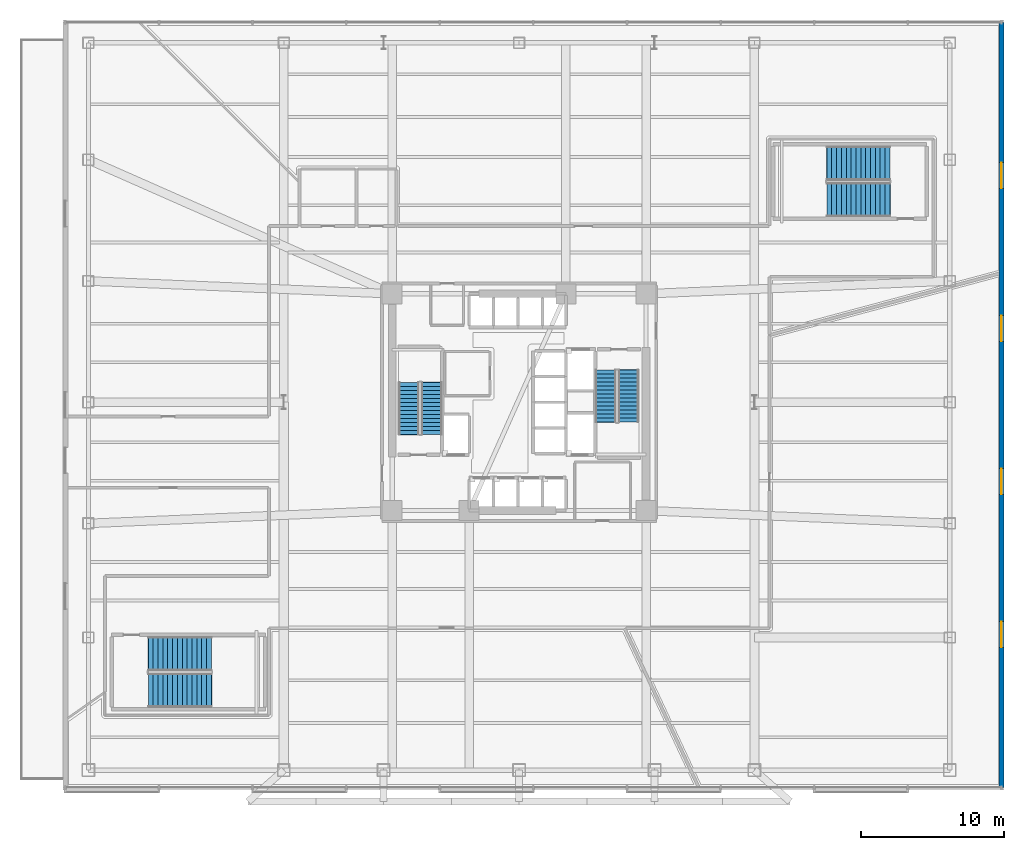
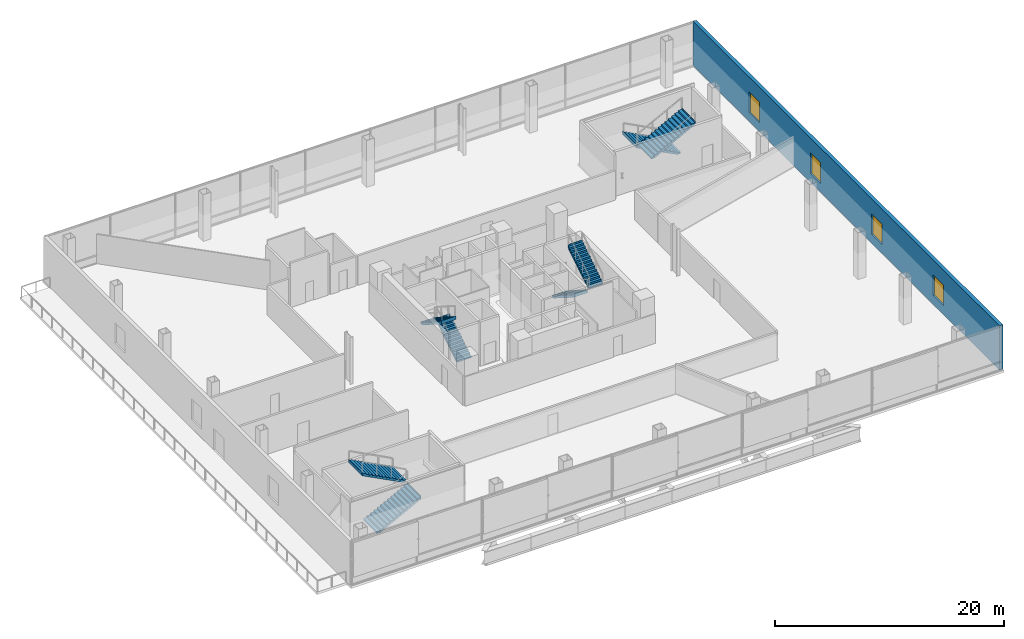
# One storey, part 13 of 20: 8 stair flights, 4 windows, 1 wall, 4 openings, 4 elements without a shape of their own.
"""IFC4 building model written with IfcOpenShell, lengths in metres."""

from ifc_helpers import new_model, si_unit, direction, frame, frame_2d, origin, place, context, subcontext, project, spatial, polyline, rectangle, outline, extrude, material, layer, layer_set, type_object, element, fill, aggregate, save


model = new_model("IFC4")

# Units and contexts
model_context = context("Model", 3, precision=1e-05, world=origin(), true_north=direction((0.0, 1.0)))
body_context = subcontext(model_context, "Body", "Model", "MODEL_VIEW")
ifc_project = project(units=[si_unit("LENGTHUNIT", "METRE"), si_unit("AREAUNIT", "SQUARE_METRE"), si_unit("VOLUMEUNIT", "CUBIC_METRE"), si_unit("PLANEANGLEUNIT", "RADIAN"), si_unit("MASSUNIT", "GRAM", prefix="KILO")], contexts=[model_context])

# Site, building, storey
site_placement = place(None, origin())
site = spatial("IfcSite", under=ifc_project, at=site_placement, CompositionType="ELEMENT")
building_placement = place(site_placement, origin())
building = spatial("IfcBuilding", under=site, at=building_placement, Name="Tharavind Bronze Gate", CompositionType="ELEMENT")
storey_placement = place(building_placement, frame((0.0, 0.0, 16.5)))
storey = spatial("IfcBuildingStorey", under=building, at=storey_placement, Name="L03", CompositionType="ELEMENT", Elevation=16.5)

# Wall, openings, windows
ifc_material_1 = material(Name="Concrete C40/50", Category="concrete")
ifc_layer = layer(ifc_material_1, 0.35009765625)
ifc_layer_set = layer_set([ifc_layer], Name="Concrete C40/50")
wall_type = type_object("IfcWallType", Name="EXTERIOR SPANDREL WALL 350", PredefinedType="STANDARD", material=ifc_layer_set)
wall_placement = place(storey_placement, frame((33.820068359375, -27.02001953125, 0.0), z_axis=(0.0, 0.0, 1.0), x_axis=(0.0, 1.0, 0.0)))
wall = element("IfcWall", 1, at=wall_placement, inside=storey, type_object=wall_type, Name="L03 upper podium east wall", PredefinedType="STANDARD", context=body_context, shape_type="SweptSolid", body=[
    extrude(rectangle(XDim=53.64013671875, YDim=0.35009765625, at=frame_2d((26.820068359375, 0.0))), origin(), (0.0, 0.0, 1.0), 4.739990234375),
])
opening_1_placement = place(wall_placement, frame((9.827880859375, 0.0, 0.949951171875)))
opening_1 = element("IfcOpeningElement", 2, at=opening_1_placement, cuts=wall, Name="Opening W02", PredefinedType="OPENING", context=body_context, shape_type="SweptSolid", body=[
    extrude(rectangle(XDim=1.800048828125, YDim=2.199951171875, at=frame_2d((0.89990234375, 1.10009765625))), frame((0.0, 0.185048828125, 0.0), z_axis=(0.0, -1.0, 0.0), x_axis=(1.0, 0.0, 0.0)), (0.0, 0.0, 1.0), 0.37009765625),
])
opening_2_placement = place(wall_placement, frame((20.555908203125, 0.0, 0.949951171875)))
opening_2 = element("IfcOpeningElement", 3, at=opening_2_placement, cuts=wall, Name="Opening W02", PredefinedType="OPENING", context=body_context, shape_type="SweptSolid", body=[
    extrude(rectangle(XDim=1.800048828125, YDim=2.199951171875, at=frame_2d((0.89990234375, 1.10009765625))), frame((0.0, 0.185048828125, 0.0), z_axis=(0.0, -1.0, 0.0), x_axis=(1.0, 0.0, 0.0)), (0.0, 0.0, 1.0), 0.37009765625),
])
opening_3_placement = place(wall_placement, frame((31.283935546875, 0.0, 0.949951171875)))
opening_3 = element("IfcOpeningElement", 4, at=opening_3_placement, cuts=wall, Name="Opening W02", PredefinedType="OPENING", context=body_context, shape_type="SweptSolid", body=[
    extrude(rectangle(XDim=1.800048828125, YDim=2.199951171875, at=frame_2d((0.89990234375, 1.10009765625))), frame((0.0, 0.185048828125, 0.0), z_axis=(0.0, -1.0, 0.0), x_axis=(1.0, 0.0, 0.0)), (0.0, 0.0, 1.0), 0.37009765625),
])
opening_4_placement = place(wall_placement, frame((42.011962890625, 0.0, 0.949951171875)))
opening_4 = element("IfcOpeningElement", 5, at=opening_4_placement, cuts=wall, Name="Opening W02", PredefinedType="OPENING", context=body_context, shape_type="SweptSolid", body=[
    extrude(rectangle(XDim=1.800048828125, YDim=2.199951171875, at=frame_2d((0.89990234375, 1.10009765625))), frame((0.0, 0.185048828125, 0.0), z_axis=(0.0, -1.0, 0.0), x_axis=(1.0, 0.0, 0.0)), (0.0, 0.0, 1.0), 0.37009765625),
])
ifc_material_2 = material(Name="Bronze Aluminium & Low-E Glass", Category="aluminium")
window_type = type_object("IfcWindowType", Name="DOUBLE PANEL BRONZE WINDOW 1800X2200", PartitioningType="DOUBLE_PANEL_VERTICAL", PredefinedType="WINDOW", material=ifc_material_2)
window_1_placement = place(opening_1_placement, origin())
window_1 = element("IfcWindow", 6, at=window_1_placement, inside=storey, type_object=window_type, Name="L03 exterior window WL-L03-EA-01", OverallHeight=2.199951171875, OverallWidth=1.800048828125, PartitioningType="SINGLE_PANEL", PredefinedType="WINDOW", context=body_context, shape_type="SweptSolid", body=[
    extrude(rectangle(XDim=1.800048828125, YDim=2.199951171875, at=frame_2d((0.89990234375, 1.10009765625))), frame((0.0, 0.030029296875, 0.0), z_axis=(0.0, -1.0, 0.0), x_axis=(1.0, 0.0, 0.0)), (0.0, 0.0, 1.0), 0.06005859375),
])
fill(opening_1, window_1)
window_2_placement = place(opening_2_placement, origin())
window_2 = element("IfcWindow", 7, at=window_2_placement, inside=storey, type_object=window_type, Name="L03 exterior window WL-L03-EA-02", OverallHeight=2.199951171875, OverallWidth=1.800048828125, PartitioningType="SINGLE_PANEL", PredefinedType="WINDOW", context=body_context, shape_type="SweptSolid", body=[
    extrude(rectangle(XDim=1.800048828125, YDim=2.199951171875, at=frame_2d((0.89990234375, 1.10009765625))), frame((0.0, 0.030029296875, 0.0), z_axis=(0.0, -1.0, 0.0), x_axis=(1.0, 0.0, 0.0)), (0.0, 0.0, 1.0), 0.06005859375),
])
fill(opening_2, window_2)
window_3_placement = place(opening_3_placement, origin())
window_3 = element("IfcWindow", 8, at=window_3_placement, inside=storey, type_object=window_type, Name="L03 exterior window WL-L03-EA-03", OverallHeight=2.199951171875, OverallWidth=1.800048828125, PartitioningType="SINGLE_PANEL", PredefinedType="WINDOW", context=body_context, shape_type="SweptSolid", body=[
    extrude(rectangle(XDim=1.800048828125, YDim=2.199951171875, at=frame_2d((0.89990234375, 1.10009765625))), frame((0.0, 0.030029296875, 0.0), z_axis=(0.0, -1.0, 0.0), x_axis=(1.0, 0.0, 0.0)), (0.0, 0.0, 1.0), 0.06005859375),
])
fill(opening_3, window_3)
window_4_placement = place(opening_4_placement, origin())
window_4 = element("IfcWindow", 9, at=window_4_placement, inside=storey, type_object=window_type, Name="L03 exterior window WL-L03-EA-04", OverallHeight=2.199951171875, OverallWidth=1.800048828125, PartitioningType="SINGLE_PANEL", PredefinedType="WINDOW", context=body_context, shape_type="SweptSolid", body=[
    extrude(rectangle(XDim=1.800048828125, YDim=2.199951171875, at=frame_2d((0.89990234375, 1.10009765625))), frame((0.0, 0.030029296875, 0.0), z_axis=(0.0, -1.0, 0.0), x_axis=(1.0, 0.0, 0.0)), (0.0, 0.0, 1.0), 0.06005859375),
])
fill(opening_4, window_4)

# Stair, stair flights
stair_type_1 = type_object("IfcStairType", Name="CORE HALF TURN STAIR 1450", PredefinedType="HALF_TURN_STAIR", material=ifc_material_1)
stair_1_placement = place(storey_placement, origin())
stair_1 = element("IfcStair", 10, at=stair_1_placement, inside=storey, type_object=stair_type_1, Name="L03 Protected Exit Stair ST1", PredefinedType="HALF_TURN_STAIR")
stair_flight_type_1 = type_object("IfcStairFlightType", Name="CORE STAIR FLIGHT 1450", PredefinedType="STRAIGHT", material=ifc_material_1)
stair_flight_1_placement = place(storey_placement, frame((-6.125, -2.25, 0.0), z_axis=(0.0, 0.0, 1.0), x_axis=(0.0, 1.0, 0.0)))
stair_flight_1 = element("IfcStairFlight", 11, at=stair_flight_1_placement, type_object=stair_flight_type_1, Name="ST1 flight 1", NumberOfRisers=14, NumberOfTreads=13, PredefinedType="STRAIGHT", RiserHeight=0.178571429, TreadLength=0.28, context=body_context, shape_type="SweptSolid", body=[
    extrude(outline(polyline([(0.0, 0.0), (0.0, 0.178466796875), (0.280029296875, 0.178466796875), (0.280029296875, 0.357177734375), (0.56005859375, 0.357177734375), (0.56005859375, 0.53564453125), (0.840087890625, 0.53564453125), (0.840087890625, 0.71435546875), (1.1201171875, 0.71435546875), (1.1201171875, 0.892822265625), (1.39990234375, 0.892822265625), (1.39990234375, 1.071533203125), (1.679931640625, 1.071533203125), (1.679931640625, 1.25), (1.9599609375, 1.25), (1.9599609375, 1.428466796875), (2.239990234375, 1.428466796875), (2.239990234375, 1.607177734375), (2.52001953125, 1.607177734375), (2.52001953125, 1.78564453125), (2.800048828125, 1.78564453125), (2.800048828125, 1.96435546875), (3.080078125, 1.96435546875), (3.080078125, 2.142822265625), (3.360107421875, 2.142822265625), (3.360107421875, 2.321533203125), (3.639892578125, 2.321533203125), (3.639892578125, 2.5), (3.676025390625, 2.5), (3.676025390625, 2.1435546875), (0.27880859375, 0.0), (0.0, 0.0)])), frame((0.0, 0.72509765625, 0.0), z_axis=(0.0, -1.0, 0.0), x_axis=(1.0, 0.0, 0.0)), (0.0, 0.0, 1.0), 1.449951171875),
])
stair_flight_2_placement = place(storey_placement, frame((-7.72509765625, 1.389892578125, 2.5), z_axis=(0.0, 0.0, 1.0), x_axis=(0.0, -1.0, 0.0)))
stair_flight_2 = element("IfcStairFlight", 12, at=stair_flight_2_placement, type_object=stair_flight_type_1, Name="ST1 flight 2", NumberOfRisers=14, NumberOfTreads=13, PredefinedType="STRAIGHT", RiserHeight=0.178571429, TreadLength=0.28, context=body_context, shape_type="SweptSolid", body=[
    extrude(outline(polyline([(0.0, 0.0), (0.0, 0.178466796875), (0.280029296875, 0.178466796875), (0.280029296875, 0.357177734375), (0.56005859375, 0.357177734375), (0.56005859375, 0.53564453125), (0.840087890625, 0.53564453125), (0.840087890625, 0.71435546875), (1.1201171875, 0.71435546875), (1.1201171875, 0.892822265625), (1.39990234375, 0.892822265625), (1.39990234375, 1.071533203125), (1.679931640625, 1.071533203125), (1.679931640625, 1.25), (1.9599609375, 1.25), (1.9599609375, 1.428466796875), (2.239990234375, 1.428466796875), (2.239990234375, 1.607177734375), (2.52001953125, 1.607177734375), (2.52001953125, 1.78564453125), (2.800048828125, 1.78564453125), (2.800048828125, 1.96435546875), (3.080078125, 1.96435546875), (3.080078125, 2.142822265625), (3.360107421875, 2.142822265625), (3.360107421875, 2.321533203125), (3.639892578125, 2.321533203125), (3.639892578125, 2.5), (3.676025390625, 2.5), (3.676025390625, 2.1435546875), (0.27880859375, 0.0), (0.0, 0.0)])), frame((0.0, 0.72509765625, 0.0), z_axis=(0.0, -1.0, 0.0), x_axis=(1.0, 0.0, 0.0)), (0.0, 0.0, 1.0), 1.449951171875),
])
aggregate(stair_1, [stair_flight_1, stair_flight_2])

stair_2_placement = place(storey_placement, origin())
stair_2 = element("IfcStair", 13, at=stair_2_placement, inside=storey, type_object=stair_type_1, Name="L03 Protected Exit Stair ST2", PredefinedType="HALF_TURN_STAIR")
stair_flight_3_placement = place(storey_placement, frame((6.074951171875, 2.25, 0.0), z_axis=(0.0, 0.0, 1.0), x_axis=(0.0, -1.0, 0.0)))
stair_flight_3 = element("IfcStairFlight", 14, at=stair_flight_3_placement, type_object=stair_flight_type_1, Name="ST2 flight 1", NumberOfRisers=14, NumberOfTreads=13, PredefinedType="STRAIGHT", RiserHeight=0.178571429, TreadLength=0.28, context=body_context, shape_type="SweptSolid", body=[
    extrude(outline(polyline([(0.0, 0.0), (0.0, 0.178466796875), (0.280029296875, 0.178466796875), (0.280029296875, 0.357177734375), (0.56005859375, 0.357177734375), (0.56005859375, 0.53564453125), (0.840087890625, 0.53564453125), (0.840087890625, 0.71435546875), (1.1201171875, 0.71435546875), (1.1201171875, 0.892822265625), (1.39990234375, 0.892822265625), (1.39990234375, 1.071533203125), (1.679931640625, 1.071533203125), (1.679931640625, 1.25), (1.9599609375, 1.25), (1.9599609375, 1.428466796875), (2.239990234375, 1.428466796875), (2.239990234375, 1.607177734375), (2.52001953125, 1.607177734375), (2.52001953125, 1.78564453125), (2.800048828125, 1.78564453125), (2.800048828125, 1.96435546875), (3.080078125, 1.96435546875), (3.080078125, 2.142822265625), (3.360107421875, 2.142822265625), (3.360107421875, 2.321533203125), (3.639892578125, 2.321533203125), (3.639892578125, 2.5), (3.676025390625, 2.5), (3.676025390625, 2.1435546875), (0.27880859375, 0.0), (0.0, 0.0)])), frame((0.0, 0.72509765625, 0.0), z_axis=(0.0, -1.0, 0.0), x_axis=(1.0, 0.0, 0.0)), (0.0, 0.0, 1.0), 1.449951171875),
])
stair_flight_4_placement = place(storey_placement, frame((7.675048828125, -1.389892578125, 2.5), z_axis=(0.0, 0.0, 1.0), x_axis=(0.0, 1.0, 0.0)))
stair_flight_4 = element("IfcStairFlight", 15, at=stair_flight_4_placement, type_object=stair_flight_type_1, Name="ST2 flight 2", NumberOfRisers=14, NumberOfTreads=13, PredefinedType="STRAIGHT", RiserHeight=0.178571429, TreadLength=0.28, context=body_context, shape_type="SweptSolid", body=[
    extrude(outline(polyline([(0.0, 0.0), (0.0, 0.178466796875), (0.280029296875, 0.178466796875), (0.280029296875, 0.357177734375), (0.56005859375, 0.357177734375), (0.56005859375, 0.53564453125), (0.840087890625, 0.53564453125), (0.840087890625, 0.71435546875), (1.1201171875, 0.71435546875), (1.1201171875, 0.892822265625), (1.39990234375, 0.892822265625), (1.39990234375, 1.071533203125), (1.679931640625, 1.071533203125), (1.679931640625, 1.25), (1.9599609375, 1.25), (1.9599609375, 1.428466796875), (2.239990234375, 1.428466796875), (2.239990234375, 1.607177734375), (2.52001953125, 1.607177734375), (2.52001953125, 1.78564453125), (2.800048828125, 1.78564453125), (2.800048828125, 1.96435546875), (3.080078125, 1.96435546875), (3.080078125, 2.142822265625), (3.360107421875, 2.142822265625), (3.360107421875, 2.321533203125), (3.639892578125, 2.321533203125), (3.639892578125, 2.5), (3.676025390625, 2.5), (3.676025390625, 2.1435546875), (0.27880859375, 0.0), (0.0, 0.0)])), frame((0.0, 0.72509765625, 0.0), z_axis=(0.0, -1.0, 0.0), x_axis=(1.0, 0.0, 0.0)), (0.0, 0.0, 1.0), 1.449951171875),
])
aggregate(stair_2, [stair_flight_3, stair_flight_4])

stair_type_2 = type_object("IfcStairType", Name="PODIUM HALF TURN STAIR 2400", PredefinedType="HALF_TURN_STAIR", material=ifc_material_1)
stair_3_placement = place(storey_placement, origin())
stair_3 = element("IfcStair", 16, at=stair_3_placement, inside=storey, type_object=stair_type_2, Name="L03 Protected Exit Stair ST3", PredefinedType="HALF_TURN_STAIR")
stair_flight_type_2 = type_object("IfcStairFlightType", Name="PODIUM STAIR FLIGHT 2400", PredefinedType="STRAIGHT", material=ifc_material_1)
stair_flight_5_placement = place(storey_placement, frame((-26.0, -20.199951171875, 0.0), z_axis=(0.0, 0.0, 1.0), x_axis=(1.0, 0.0, 0.0)))
stair_flight_5 = element("IfcStairFlight", 17, at=stair_flight_5_placement, type_object=stair_flight_type_2, Name="ST3 flight 1", NumberOfRisers=14, NumberOfTreads=13, PredefinedType="STRAIGHT", RiserHeight=0.178571429, TreadLength=0.34, context=body_context, shape_type="SweptSolid", body=[
    extrude(outline(polyline([(0.0, 0.0), (0.0, 0.178466796875), (0.340087890625, 0.178466796875), (0.340087890625, 0.357177734375), (0.679931640625, 0.357177734375), (0.679931640625, 0.53564453125), (1.02001953125, 0.53564453125), (1.02001953125, 0.71435546875), (1.360107421875, 0.71435546875), (1.360107421875, 0.892822265625), (1.699951171875, 0.892822265625), (1.699951171875, 1.071533203125), (2.0400390625, 1.071533203125), (2.0400390625, 1.25), (2.3798828125, 1.25), (2.3798828125, 1.428466796875), (2.719970703125, 1.428466796875), (2.719970703125, 1.607177734375), (3.06005859375, 1.607177734375), (3.06005859375, 1.78564453125), (3.39990234375, 1.78564453125), (3.39990234375, 1.96435546875), (3.739990234375, 1.96435546875), (3.739990234375, 2.142822265625), (4.080078125, 2.142822265625), (4.080078125, 2.321533203125), (4.419921875, 2.321533203125), (4.419921875, 2.5), (4.4560546875, 2.5), (4.4560546875, 2.152099609375), (0.322265625, 0.0), (0.0, 0.0)])), frame((0.0, 1.199951171875, 0.0), z_axis=(0.0, -1.0, 0.0), x_axis=(1.0, 0.0, 0.0)), (0.0, 0.0, 1.0), 2.39990234375),
])
stair_flight_6_placement = place(storey_placement, frame((-21.580078125, -17.64990234375, 2.5), z_axis=(0.0, 0.0, 1.0), x_axis=(-1.0, 0.0, 0.0)))
stair_flight_6 = element("IfcStairFlight", 18, at=stair_flight_6_placement, type_object=stair_flight_type_2, Name="ST3 flight 2", NumberOfRisers=14, NumberOfTreads=13, PredefinedType="STRAIGHT", RiserHeight=0.178571429, TreadLength=0.34, context=body_context, shape_type="SweptSolid", body=[
    extrude(outline(polyline([(0.0, 0.0), (0.0, 0.178466796875), (0.340087890625, 0.178466796875), (0.340087890625, 0.357177734375), (0.679931640625, 0.357177734375), (0.679931640625, 0.53564453125), (1.02001953125, 0.53564453125), (1.02001953125, 0.71435546875), (1.360107421875, 0.71435546875), (1.360107421875, 0.892822265625), (1.699951171875, 0.892822265625), (1.699951171875, 1.071533203125), (2.0400390625, 1.071533203125), (2.0400390625, 1.25), (2.3798828125, 1.25), (2.3798828125, 1.428466796875), (2.719970703125, 1.428466796875), (2.719970703125, 1.607177734375), (3.06005859375, 1.607177734375), (3.06005859375, 1.78564453125), (3.39990234375, 1.78564453125), (3.39990234375, 1.96435546875), (3.739990234375, 1.96435546875), (3.739990234375, 2.142822265625), (4.080078125, 2.142822265625), (4.080078125, 2.321533203125), (4.419921875, 2.321533203125), (4.419921875, 2.5), (4.4560546875, 2.5), (4.4560546875, 2.152099609375), (0.322265625, 0.0), (0.0, 0.0)])), frame((0.0, 1.199951171875, 0.0), z_axis=(0.0, -1.0, 0.0), x_axis=(1.0, 0.0, 0.0)), (0.0, 0.0, 1.0), 2.39990234375),
])
aggregate(stair_3, [stair_flight_5, stair_flight_6])

stair_4_placement = place(storey_placement, origin())
stair_4 = element("IfcStair", 19, at=stair_4_placement, inside=storey, type_object=stair_type_2, Name="L03 Protected Exit Stair ST4", PredefinedType="HALF_TURN_STAIR")
stair_flight_7_placement = place(storey_placement, frame((26.0, 16.75, 0.0), z_axis=(0.0, 0.0, 1.0), x_axis=(-1.0, 0.0, 0.0)))
stair_flight_7 = element("IfcStairFlight", 20, at=stair_flight_7_placement, type_object=stair_flight_type_2, Name="ST4 flight 1", NumberOfRisers=14, NumberOfTreads=13, PredefinedType="STRAIGHT", RiserHeight=0.178571429, TreadLength=0.34, context=body_context, shape_type="SweptSolid", body=[
    extrude(outline(polyline([(0.0, 0.0), (0.0, 0.178466796875), (0.340087890625, 0.178466796875), (0.340087890625, 0.357177734375), (0.679931640625, 0.357177734375), (0.679931640625, 0.53564453125), (1.02001953125, 0.53564453125), (1.02001953125, 0.71435546875), (1.360107421875, 0.71435546875), (1.360107421875, 0.892822265625), (1.699951171875, 0.892822265625), (1.699951171875, 1.071533203125), (2.0400390625, 1.071533203125), (2.0400390625, 1.25), (2.3798828125, 1.25), (2.3798828125, 1.428466796875), (2.719970703125, 1.428466796875), (2.719970703125, 1.607177734375), (3.06005859375, 1.607177734375), (3.06005859375, 1.78564453125), (3.39990234375, 1.78564453125), (3.39990234375, 1.96435546875), (3.739990234375, 1.96435546875), (3.739990234375, 2.142822265625), (4.080078125, 2.142822265625), (4.080078125, 2.321533203125), (4.419921875, 2.321533203125), (4.419921875, 2.5), (4.4560546875, 2.5), (4.4560546875, 2.152099609375), (0.322265625, 0.0), (0.0, 0.0)])), frame((0.0, 1.199951171875, 0.0), z_axis=(0.0, -1.0, 0.0), x_axis=(1.0, 0.0, 0.0)), (0.0, 0.0, 1.0), 2.39990234375),
])
stair_flight_8_placement = place(storey_placement, frame((21.580078125, 14.199951171875, 2.5), z_axis=(0.0, 0.0, 1.0), x_axis=(1.0, 0.0, 0.0)))
stair_flight_8 = element("IfcStairFlight", 21, at=stair_flight_8_placement, type_object=stair_flight_type_2, Name="ST4 flight 2", NumberOfRisers=14, NumberOfTreads=13, PredefinedType="STRAIGHT", RiserHeight=0.178571429, TreadLength=0.34, context=body_context, shape_type="SweptSolid", body=[
    extrude(outline(polyline([(0.0, 0.0), (0.0, 0.178466796875), (0.340087890625, 0.178466796875), (0.340087890625, 0.357177734375), (0.679931640625, 0.357177734375), (0.679931640625, 0.53564453125), (1.02001953125, 0.53564453125), (1.02001953125, 0.71435546875), (1.360107421875, 0.71435546875), (1.360107421875, 0.892822265625), (1.699951171875, 0.892822265625), (1.699951171875, 1.071533203125), (2.0400390625, 1.071533203125), (2.0400390625, 1.25), (2.3798828125, 1.25), (2.3798828125, 1.428466796875), (2.719970703125, 1.428466796875), (2.719970703125, 1.607177734375), (3.06005859375, 1.607177734375), (3.06005859375, 1.78564453125), (3.39990234375, 1.78564453125), (3.39990234375, 1.96435546875), (3.739990234375, 1.96435546875), (3.739990234375, 2.142822265625), (4.080078125, 2.142822265625), (4.080078125, 2.321533203125), (4.419921875, 2.321533203125), (4.419921875, 2.5), (4.4560546875, 2.5), (4.4560546875, 2.152099609375), (0.322265625, 0.0), (0.0, 0.0)])), frame((0.0, 1.199951171875, 0.0), z_axis=(0.0, -1.0, 0.0), x_axis=(1.0, 0.0, 0.0)), (0.0, 0.0, 1.0), 2.39990234375),
])
aggregate(stair_4, [stair_flight_7, stair_flight_8])

save(model, "model.ifc")
